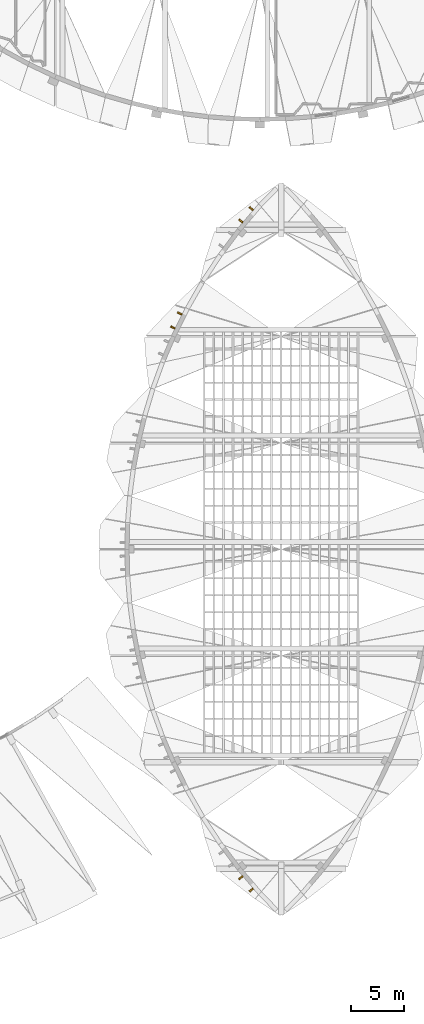
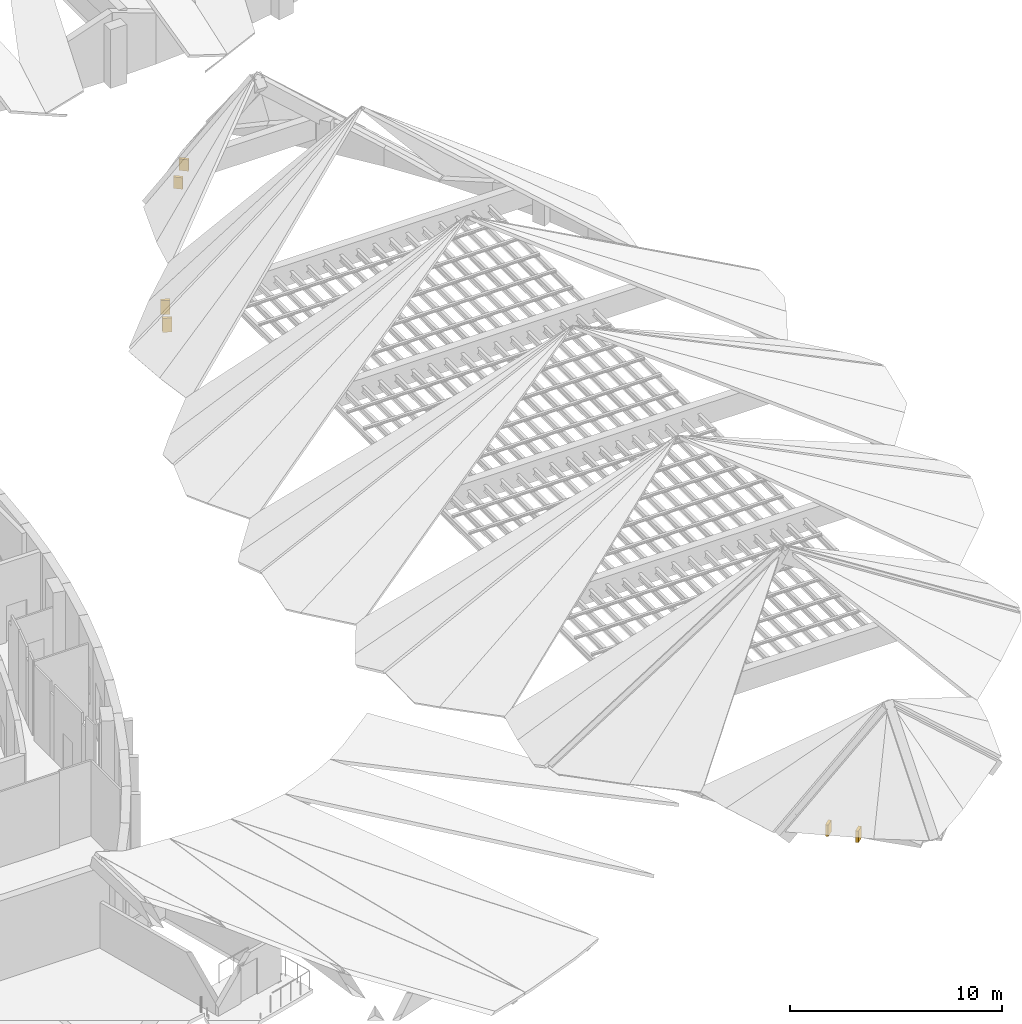
# One storey, part 56 of 56: 6 shading devices.
"""IFC4 building model written with IfcOpenShell, lengths in metres."""

from ifc_helpers import new_model, si_unit, direction, frame, origin, origin_2d, place, context, subcontext, project, spatial, rectangle, extrude, material, layer, layer_set, type_object, element, save


model = new_model("IFC4")

# Units and contexts
model_context = context("Model", 3, precision=1e-05, world=origin(), true_north=direction((0.0, 1.0)))
body_context = subcontext(model_context, "Body", "Model", "MODEL_VIEW")
ifc_project = project(units=[si_unit("LENGTHUNIT", "METRE"), si_unit("AREAUNIT", "SQUARE_METRE"), si_unit("VOLUMEUNIT", "CUBIC_METRE"), si_unit("PLANEANGLEUNIT", "RADIAN"), si_unit("MASSUNIT", "GRAM", prefix="KILO")], contexts=[model_context])

# Site, building, storey
site_placement = place(None, origin())
site = spatial("IfcSite", under=ifc_project, at=site_placement, CompositionType="ELEMENT")
building_placement = place(site_placement, origin())
building = spatial("IfcBuilding", under=site, at=building_placement, Name="Tide Square Theatres", CompositionType="ELEMENT")
storey_placement = place(building_placement, frame((0.0, 0.0, 10.199951171875)))
storey = spatial("IfcBuildingStorey", under=building, at=storey_placement, Name="L02", CompositionType="ELEMENT", Elevation=10.199951171875)

# Shading devices
ifc_material = material(Name="Concrete C40", Category="concrete")
ifc_layer = layer(ifc_material, 0.14990234375)
ifc_layer_set = layer_set([ifc_layer], Name="Concrete C40")
shading_device_type = type_object("IfcShadingDeviceType", Name="Concrete fin 450", PredefinedType="USERDEFINED", material=ifc_layer_set)
for number, where, z_axis, x_axis, name in (
    (1, (129.21044921875, 76.87744140625, 0.0), (0.0, 0.0, 1.0), (-0.649434776644, -0.760417300491, 0.0), "Concrete fin"),
    (2, (128.22998046875, 75.7294921875, 0.0), (0.0, 0.0, 1.0), (-0.649434776644, -0.760417300491, 0.0), "Concrete fin"),
):
    element("IfcShadingDevice", number, at=place(storey_placement, frame(where, z_axis=z_axis, x_axis=x_axis)), inside=storey, type_object=shading_device_type, Name=name, ObjectType="BRISE-SOLEIL FIN", PredefinedType="USERDEFINED", context=body_context, shape_type="SweptSolid", body=[
        extrude(rectangle(XDim=0.14990234375, YDim=0.449951171875, at=origin_2d()), origin(), (0.0, 0.0, 1.0), 0.661865234375),
    ])
for number, where, z_axis, x_axis, name in (
    (3, (122.5146484375, 67.072265625, 0.0), (0.0, 0.0, 1.0), (-0.444338125475, -0.895859157596, 0.0), "Concrete fin"),
    (4, (121.865966796875, 65.764404296875, 0.0), (0.0, 0.0, 1.0), (-0.444338125475, -0.895859157596, 0.0), "Concrete fin"),
):
    element("IfcShadingDevice", number, at=place(storey_placement, frame(where, z_axis=z_axis, x_axis=x_axis)), inside=storey, type_object=shading_device_type, Name=name, ObjectType="BRISE-SOLEIL FIN", PredefinedType="USERDEFINED", context=body_context, shape_type="SweptSolid", body=[
        extrude(rectangle(XDim=0.14990234375, YDim=0.449951171875, at=origin_2d()), origin(), (0.0, 0.0, 1.0), 0.80810546875),
    ])
for number, where, z_axis, x_axis, name in (
    (5, (128.22998046875, 14.2705078125, 0.0), (0.0, 0.0, 1.0), (0.649434776644, -0.760417300491, 0.0), "Concrete fin"),
    (6, (129.21044921875, 13.12255859375, 0.0), (0.0, 0.0, 1.0), (0.649434776644, -0.760417300491, 0.0), "Concrete fin"),
):
    element("IfcShadingDevice", number, at=place(storey_placement, frame(where, z_axis=z_axis, x_axis=x_axis)), inside=storey, type_object=shading_device_type, Name=name, ObjectType="BRISE-SOLEIL FIN", PredefinedType="USERDEFINED", context=body_context, shape_type="SweptSolid", body=[
        extrude(rectangle(XDim=0.14990234375, YDim=0.449951171875, at=origin_2d()), origin(), (0.0, 0.0, 1.0), 0.661865234375),
    ])

save(model, "model.ifc")
